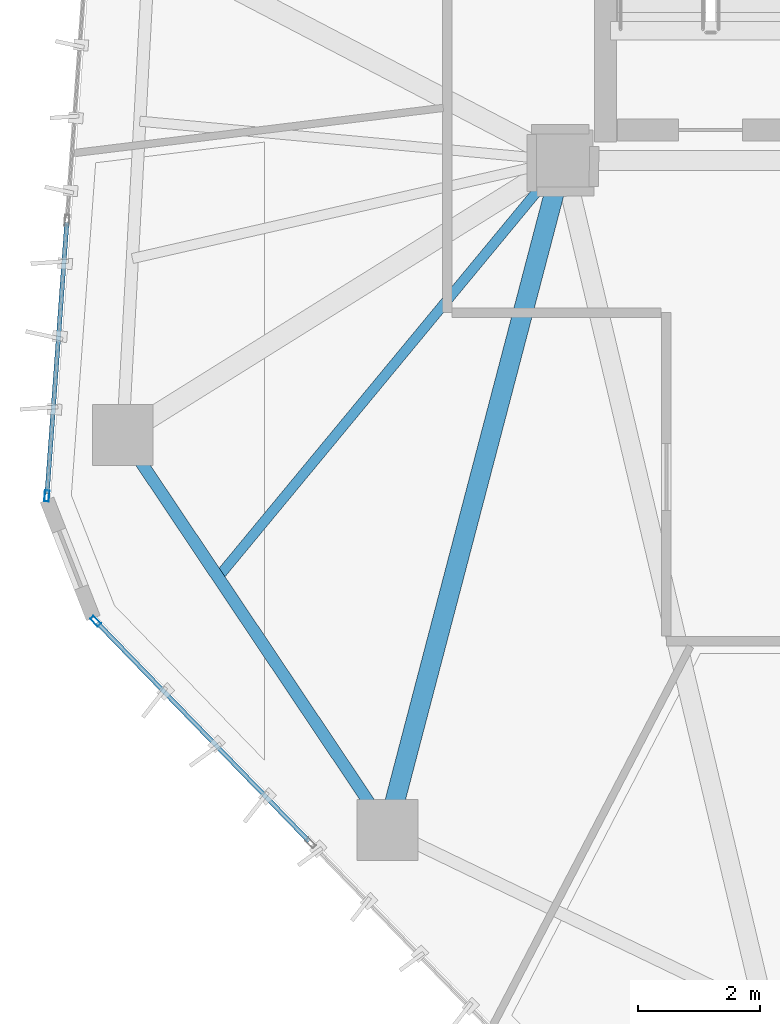
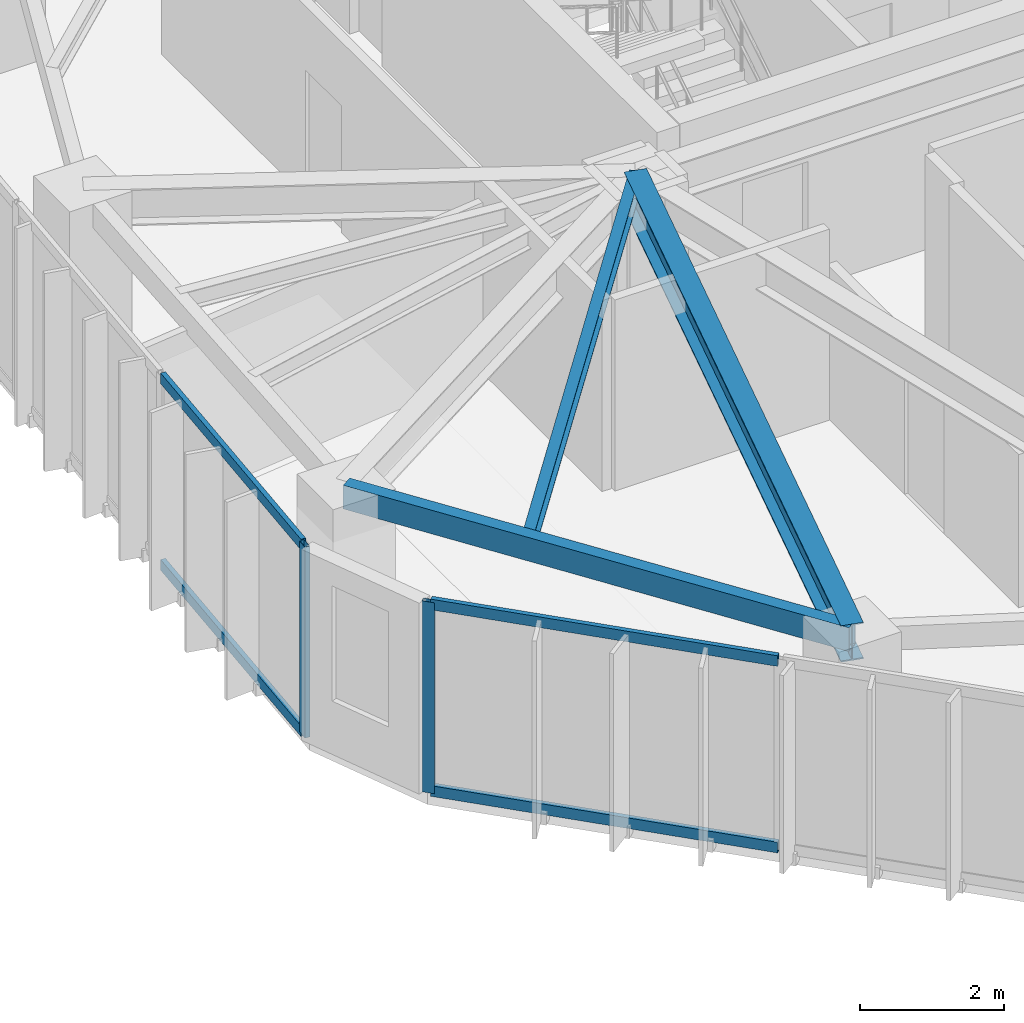
# One storey, part 3 of 20: 6 members, 3 beams, 2 elements without a shape of their own.
"""IFC4 building model written with IfcOpenShell, lengths in metres."""

from ifc_helpers import new_model, si_unit, direction, frame, origin, origin_2d, place, context, subcontext, project, spatial, hollow_rectangle, i_section, extrude, source, transform, mapped, material, layer, layer_set, material_profile, profile_set, type_object, type_shapes, element, aggregate, save


model = new_model("IFC4")

# Units and contexts
model_context = context("Model", 3, precision=1e-05, world=origin(), true_north=direction((0.0, 1.0)))
body_context = subcontext(model_context, "Body", "Model", "MODEL_VIEW")
ifc_project = project(units=[si_unit("LENGTHUNIT", "METRE"), si_unit("AREAUNIT", "SQUARE_METRE"), si_unit("VOLUMEUNIT", "CUBIC_METRE"), si_unit("PLANEANGLEUNIT", "RADIAN"), si_unit("MASSUNIT", "GRAM", prefix="KILO")], contexts=[model_context])

# Site, building, storey
site_placement = place(None, origin())
site = spatial("IfcSite", under=ifc_project, at=site_placement, CompositionType="ELEMENT")
building_placement = place(site_placement, origin())
building = spatial("IfcBuilding", under=site, at=building_placement, Name="Talar Marvaseh", CompositionType="ELEMENT")
storey_placement = place(building_placement, frame((0.0, 0.0, 215.199951171875)))
storey = spatial("IfcBuildingStorey", under=building, at=storey_placement, Name="L56", CompositionType="ELEMENT", Elevation=215.199951171875)

# Beams
ifc_material_1 = material(Name="Steel S355", Category="steel")
ifc_material_profile_1 = material_profile(ifc_material_1, hollow_rectangle(XDim=0.199951171875, YDim=0.39990234375, WallThickness=0.013916015625, at=origin_2d()), Name="RHS400x200x14")
ifc_profile_set_1 = profile_set([ifc_material_profile_1], Name="Steel S355")
beam_type_1 = type_object("IfcBeamType", Name="Zone 3 Perimeter Spandrel Beam RHS400x200x14", PredefinedType="SPANDREL", material=ifc_profile_set_1)
beam_1_placement = place(storey_placement, frame((15.819091796875, 14.5009765625, 3.030029296875), z_axis=(-0.556805579613, 0.830642851358, 0.0), x_axis=(-0.830642851358, -0.556805579613, 0.0)))
element("IfcBeam", 1, at=beam_1_placement, inside=storey, type_object=beam_type_1, Name="L56 Zone 3 Perimeter Spandrel Beam RHS400x200x14", PredefinedType="SPANDREL", context=body_context, shape_type="SweptSolid", body=[
    extrude(hollow_rectangle(XDim=0.199951171875, YDim=0.39990234375, WallThickness=0.013916015625, at=origin_2d()), origin(), (0.0, 0.0, 1.0), 7.807373046875),
])
ifc_material_profile_2 = material_profile(ifc_material_1, i_section(OverallWidth=0.324951171875, OverallDepth=0.615966796875, WebThickness=0.013916015625, FlangeThickness=0.021484375, at=origin_2d()), Name="W610x174")
ifc_profile_set_2 = profile_set([ifc_material_profile_2], Name="Steel S355")
beam_type_2 = type_object("IfcBeamType", Name="Zone 3 Radial Floor Girder W610x174", PredefinedType="BEAM", material=ifc_profile_set_2)
beam_2_placement = place(storey_placement, frame((15.819091796875, 14.5009765625, 2.922119140625), z_axis=(0.253372787776, 0.967368714821, 0.0), x_axis=(-0.967368714821, 0.253372787776, 0.0)))
element("IfcBeam", 2, at=beam_2_placement, inside=storey, type_object=beam_type_2, Name="L56 Zone 3 Radial Floor Girder W610x174", PredefinedType="BEAM", context=body_context, shape_type="SweptSolid", body=[
    extrude(i_section(OverallWidth=0.324951171875, OverallDepth=0.615966796875, WebThickness=0.013916015625, FlangeThickness=0.021484375, at=origin_2d()), origin(), (0.0, 0.0, 1.0), 11.3701171875),
])
ifc_material_profile_3 = material_profile(ifc_material_1, i_section(OverallWidth=0.166015625, OverallDepth=0.31298828125, WebThickness=0.006591796875, FlangeThickness=0.01123046875, at=origin_2d()), Name="W310x45")
ifc_profile_set_3 = profile_set([ifc_material_profile_3], Name="Steel S355")
beam_type_3 = type_object("IfcBeamType", Name="Zone 3 Secondary Floor Joist W310x45", PredefinedType="JOIST", material=ifc_profile_set_3)
beam_3_placement = place(storey_placement, frame((13.036865234375, 18.6513671875, 3.073486328125), z_axis=(0.637250554087, 0.770656688362, 0.0), x_axis=(-0.770656688362, 0.637250554087, 0.0)))
element("IfcBeam", 3, at=beam_3_placement, inside=storey, type_object=beam_type_3, Name="L56 Zone 3 Secondary Floor Joist W310x45", PredefinedType="JOIST", context=body_context, shape_type="SweptSolid", body=[
    extrude(i_section(OverallWidth=0.166015625, OverallDepth=0.31298828125, WebThickness=0.006591796875, FlangeThickness=0.01123046875, at=origin_2d()), origin(), (0.0, 0.0, 1.0), 8.88671875),
])

# Curtain wall, member
ifc_material_2 = material(Name="Architectural Aluminium", Category="aluminium")
ifc_layer = layer(ifc_material_2, 0.18994140625)
ifc_layer_set = layer_set([ifc_layer], Name="Architectural Aluminium")
curtain_wall_type = type_object("IfcCurtainWallType", Name="Unitised Solar Atelier Curtain Wall Z3", PredefinedType="NOTDEFINED", material=ifc_layer_set)
curtain_wall_1_placement = place(storey_placement, origin())
curtain_wall_1 = element("IfcCurtainWall", 4, at=curtain_wall_1_placement, inside=storey, type_object=curtain_wall_type, Name="L56 Unitised Solar Atelier Curtain Wall Z3", PredefinedType="NOTDEFINED")
ifc_material_profile_4 = material_profile(ifc_material_2, hollow_rectangle(XDim=0.074951171875, YDim=0.179931640625, WallThickness=0.0048828125, at=origin_2d()), Name="RHS180x75x5")
ifc_profile_set_4 = profile_set([ifc_material_profile_4], Name="Architectural Aluminium")
member_type_1 = type_object("IfcMemberType", Name="Unitised Curtain Wall Standard Mullion RHS180x75x5", PredefinedType="MULLION", material=ifc_profile_set_4)
shared_shape_1 = source(origin(), body_context, "Body", "SweptSolid", [
    extrude(hollow_rectangle(XDim=0.074951171875, YDim=0.179931640625, WallThickness=0.0048828125, at=origin_2d()), origin(), (0.0, 0.0, 1.0), 3.22998046875),
])
type_shapes(member_type_1, [shared_shape_1])
member_1_placement = place(storey_placement, frame((11.02587890625, 17.93212890625, 0.0), z_axis=(0.0, 0.0, 1.0), x_axis=(-0.718173328427, -0.695864261431, 0.0)))
member_1 = element("IfcMember", 5, at=member_1_placement, type_object=member_type_1, Name="CW-Z3 mullion 4", PredefinedType="MULLION", context=body_context, shape_type="MappedRepresentation", body=[
    mapped(shared_shape_1, transform((0.0, 0.0, 0.0), x_axis=(1.0, 0.0, 0.0), y_axis=(0.0, 1.0, 0.0), z_axis=(0.0, 0.0, 1.0), scale=1.0)),
])

# Curtain wall, members
curtain_wall_2_placement = place(storey_placement, origin())
curtain_wall_2 = element("IfcCurtainWall", 6, at=curtain_wall_2_placement, inside=storey, type_object=curtain_wall_type, Name="L56 Unitised Solar Atelier Curtain Wall Z3", PredefinedType="NOTDEFINED")
member_2_placement = place(storey_placement, frame((10.224853515625, 19.9873046875, 0.0), z_axis=(0.0, 0.0, 1.0), x_axis=(-0.99733736785, 0.072925816354, 0.0)))
member_2 = element("IfcMember", 7, at=member_2_placement, type_object=member_type_1, Name="CW-Z3 mullion 1", PredefinedType="MULLION", context=body_context, shape_type="MappedRepresentation", body=[
    mapped(shared_shape_1, transform((0.0, 0.0, 0.0), x_axis=(1.0, 0.0, 0.0), y_axis=(0.0, 1.0, 0.0), z_axis=(0.0, 0.0, 1.0), scale=1.0)),
])
ifc_material_profile_5 = material_profile(ifc_material_2, hollow_rectangle(XDim=0.074951171875, YDim=0.179931640625, WallThickness=0.0048828125, at=origin_2d()), Name="RHS180x75x5")
ifc_profile_set_5 = profile_set([ifc_material_profile_5], Name="Architectural Aluminium")
member_type_2 = type_object("IfcMemberType", Name="Unitised Curtain Wall Transom RHS180x75x5", PredefinedType="USERDEFINED", material=ifc_profile_set_5)
shared_shape_2 = source(origin(), body_context, "Body", "SweptSolid", [
    extrude(hollow_rectangle(XDim=0.074951171875, YDim=0.179931640625, WallThickness=0.0048828125, at=origin_2d()), origin(), (0.0, 0.0, 1.0), 4.46484375),
])
member_3_placement = place(storey_placement, frame((10.2275390625, 20.02490234375, 0.03759765625), z_axis=(0.072890735775, 0.997339932339, 0.0), x_axis=(-0.997339932339, 0.072890735775, 0.0)))
member_3 = element("IfcMember", 8, at=member_3_placement, type_object=member_type_2, Name="CW-Z3 transom 1.1", ObjectType="TRANSOM", PredefinedType="USERDEFINED", context=body_context, shape_type="MappedRepresentation", body=[
    mapped(shared_shape_2, transform((0.0, 0.0, 0.0), x_axis=(1.0, 0.0, 0.0), y_axis=(0.0, 1.0, 0.0), z_axis=(0.0, 0.0, 1.0), scale=1.0)),
])
member_4_placement = place(storey_placement, frame((10.2275390625, 20.02490234375, 3.192626953125), z_axis=(0.072890735775, 0.997339932339, 0.0), x_axis=(-0.997339932339, 0.072890735775, 0.0)))
member_4 = element("IfcMember", 9, at=member_4_placement, type_object=member_type_2, Name="CW-Z3 transom 1.2", ObjectType="TRANSOM", PredefinedType="USERDEFINED", context=body_context, shape_type="MappedRepresentation", body=[
    mapped(shared_shape_2, transform((0.0, 0.0, 0.0), x_axis=(1.0, 0.0, 0.0), y_axis=(0.0, 1.0, 0.0), z_axis=(0.0, 0.0, 1.0), scale=1.0)),
])
aggregate(curtain_wall_2, [member_2, member_3, member_4])

# Member
shared_shape_3 = source(origin(), body_context, "Body", "SweptSolid", [
    extrude(hollow_rectangle(XDim=0.074951171875, YDim=0.179931640625, WallThickness=0.0048828125, at=origin_2d()), origin(), (0.0, 0.0, 1.0), 5.00048828125),
])
type_shapes(member_type_2, [shared_shape_2, shared_shape_3])
member_5_placement = place(storey_placement, frame((14.53173828125, 14.31396484375, 0.03759765625), z_axis=(-0.69588729915, 0.718151005626, 0.0), x_axis=(-0.718151005626, -0.69588729915, 0.0)))
member_5 = element("IfcMember", 10, at=member_5_placement, type_object=member_type_2, Name="CW-Z3 transom 3.1", ObjectType="TRANSOM", PredefinedType="USERDEFINED", context=body_context, shape_type="MappedRepresentation", body=[
    mapped(shared_shape_3, transform((0.0, 0.0, 0.0), x_axis=(1.0, 0.0, 0.0), y_axis=(0.0, 1.0, 0.0), z_axis=(0.0, 0.0, 1.0), scale=1.0)),
])

member_6_placement = place(storey_placement, frame((14.53173828125, 14.31396484375, 3.192626953125), z_axis=(-0.69588729915, 0.718151005626, 0.0), x_axis=(-0.718151005626, -0.69588729915, 0.0)))
member_6 = element("IfcMember", 11, at=member_6_placement, type_object=member_type_2, Name="CW-Z3 transom 3.2", ObjectType="TRANSOM", PredefinedType="USERDEFINED", context=body_context, shape_type="MappedRepresentation", body=[
    mapped(shared_shape_3, transform((0.0, 0.0, 0.0), x_axis=(1.0, 0.0, 0.0), y_axis=(0.0, 1.0, 0.0), z_axis=(0.0, 0.0, 1.0), scale=1.0)),
])

aggregate(curtain_wall_1, [member_1, member_5, member_6])

save(model, "model.ifc")
